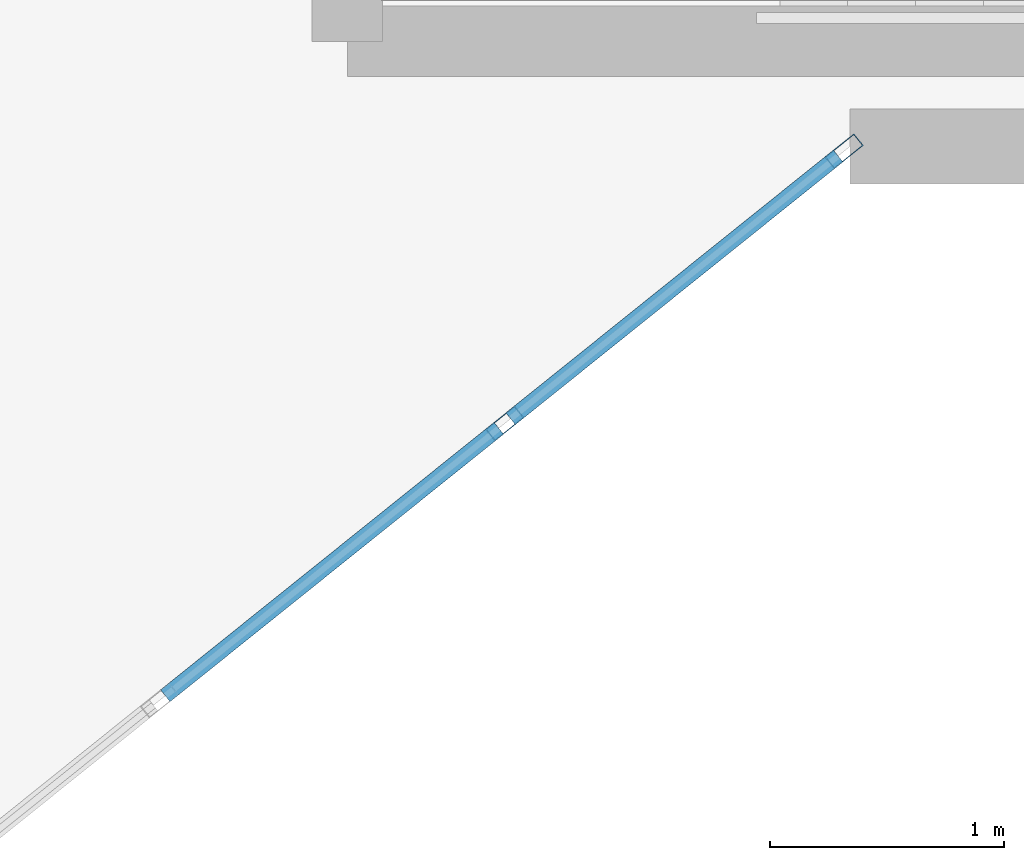
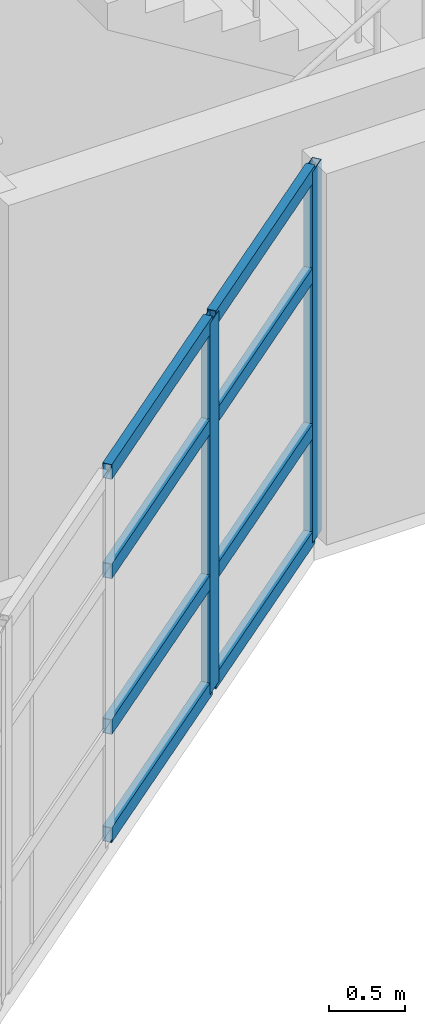
# One storey, part 13 of 49: 10 members, 1 element without a shape of its own.
"""IFC4 building model written with IfcOpenShell, lengths in metres."""

from ifc_helpers import new_model, si_unit, direction, frame, origin, origin_2d, place, context, subcontext, project, spatial, hollow_rectangle, extrude, material, layer, layer_set, material_profile, profile_set, type_object, element, aggregate, save


model = new_model("IFC4")

# Units and contexts
model_context = context("Model", 3, precision=1e-05, world=origin(), true_north=direction((0.0, 1.0)))
body_context = subcontext(model_context, "Body", "Model", "MODEL_VIEW")
ifc_project = project(units=[si_unit("LENGTHUNIT", "METRE"), si_unit("AREAUNIT", "SQUARE_METRE"), si_unit("VOLUMEUNIT", "CUBIC_METRE"), si_unit("PLANEANGLEUNIT", "RADIAN"), si_unit("MASSUNIT", "GRAM", prefix="KILO")], contexts=[model_context])

# Site, building, storey
site_placement = place(None, origin())
site = spatial("IfcSite", under=ifc_project, at=site_placement, CompositionType="ELEMENT")
building_placement = place(site_placement, origin())
building = spatial("IfcBuilding", under=site, at=building_placement, Name="Keldmere Railside Commons", CompositionType="ELEMENT")
storey_placement = place(building_placement, frame((0.0, 0.0, 29.760009765625)))
storey = spatial("IfcBuildingStorey", under=building, at=storey_placement, Name="L09", CompositionType="ELEMENT", Elevation=29.760009765625)

# Curtain wall, members
ifc_material = material(Name="Thermally Broken Aluminium", Category="aluminium")
ifc_layer = layer(ifc_material, 0.159912109375, Name="Court Chord Wintergarden CW 4800x2850")
ifc_layer_set = layer_set([ifc_layer], Name="Thermally Broken Aluminium")
curtain_wall_type = type_object("IfcCurtainWallType", Name="Court Chord Wintergarden CW 4800x2850", PredefinedType="NOTDEFINED", material=ifc_layer_set)
curtain_wall_placement = place(storey_placement, origin())
curtain_wall = element("IfcCurtainWall", 1, at=curtain_wall_placement, inside=storey, type_object=curtain_wall_type, Name="CW-12 CW-L09-141", PredefinedType="NOTDEFINED")
ifc_material_profile_1 = material_profile(ifc_material, hollow_rectangle(XDim=0.06494140625, YDim=0.159912109375, WallThickness=0.00390625, at=origin_2d()), Name="ALU-MULL-65x160")
ifc_profile_set_1 = profile_set([ifc_material_profile_1], Name="Thermally Broken Aluminium")
member_type_1 = type_object("IfcMemberType", Name="Unitised Curtain Wall Mullion 65x160", PredefinedType="MULLION", material=ifc_profile_set_1)
member_1_placement = place(storey_placement, frame((131.974609375, 99.979736328125, 0.0), z_axis=(0.0, 0.0, 1.0), x_axis=(0.625768080915, -0.780009172323, 0.0)))
member_1 = element("IfcMember", 2, at=member_1_placement, type_object=member_type_1, Name="CW-12 mullion 1", PredefinedType="MULLION", context=body_context, shape_type="SweptSolid", body=[
    extrude(hollow_rectangle(XDim=0.06494140625, YDim=0.159912109375, WallThickness=0.00390625, at=origin_2d()), origin(), (0.0, 0.0, 1.0), 2.97998046875),
])
member_2_placement = place(storey_placement, frame((130.5234375, 98.8154296875, 0.0), z_axis=(0.0, 0.0, 1.0), x_axis=(0.625768080915, -0.780009172323, 0.0)))
member_2 = element("IfcMember", 3, at=member_2_placement, type_object=member_type_1, Name="CW-12 mullion 2", PredefinedType="MULLION", context=body_context, shape_type="SweptSolid", body=[
    extrude(hollow_rectangle(XDim=0.06494140625, YDim=0.159912109375, WallThickness=0.00390625, at=origin_2d()), origin(), (0.0, 0.0, 1.0), 2.97998046875),
])
ifc_material_profile_2 = material_profile(ifc_material, hollow_rectangle(XDim=0.06494140625, YDim=0.1201171875, WallThickness=0.00390625, at=origin_2d()), Name="ALU-TRAN-65x120")
ifc_profile_set_2 = profile_set([ifc_material_profile_2], Name="Thermally Broken Aluminium")
member_type_2 = type_object("IfcMemberType", Name="Unitised Curtain Wall Transom 65x120", PredefinedType="USERDEFINED", material=ifc_profile_set_2)
member_3_placement = place(storey_placement, frame((131.94921875, 99.959228515625, 0.032470703125), z_axis=(-0.780045694992, -0.625722553313, 0.0), x_axis=(0.625722553313, -0.780045694992, 0.0)))
member_3 = element("IfcMember", 4, at=member_3_placement, type_object=member_type_2, Name="CW-12 transom 1.1", ObjectType="TRANSOM", PredefinedType="USERDEFINED", context=body_context, shape_type="SweptSolid", body=[
    extrude(hollow_rectangle(XDim=0.06494140625, YDim=0.1201171875, WallThickness=0.00390625, at=origin_2d()), origin(), (0.0, 0.0, 1.0), 1.795654296875),
])
member_4_placement = place(storey_placement, frame((131.94921875, 99.959228515625, 0.89990234375), z_axis=(-0.780045694992, -0.625722553313, 0.0), x_axis=(0.625722553313, -0.780045694992, 0.0)))
member_4 = element("IfcMember", 5, at=member_4_placement, type_object=member_type_2, Name="CW-12 transom 1.2", ObjectType="TRANSOM", PredefinedType="USERDEFINED", context=body_context, shape_type="SweptSolid", body=[
    extrude(hollow_rectangle(XDim=0.06494140625, YDim=0.1201171875, WallThickness=0.00390625, at=origin_2d()), origin(), (0.0, 0.0, 1.0), 1.795654296875),
])
member_5_placement = place(storey_placement, frame((131.94921875, 99.959228515625, 2.14990234375), z_axis=(-0.780045694992, -0.625722553313, 0.0), x_axis=(0.625722553313, -0.780045694992, 0.0)))
member_5 = element("IfcMember", 6, at=member_5_placement, type_object=member_type_2, Name="CW-12 transom 1.3", ObjectType="TRANSOM", PredefinedType="USERDEFINED", context=body_context, shape_type="SweptSolid", body=[
    extrude(hollow_rectangle(XDim=0.06494140625, YDim=0.1201171875, WallThickness=0.00390625, at=origin_2d()), origin(), (0.0, 0.0, 1.0), 1.795654296875),
])
member_6_placement = place(storey_placement, frame((131.94921875, 99.959228515625, 2.947509765625), z_axis=(-0.780045694992, -0.625722553313, 0.0), x_axis=(0.625722553313, -0.780045694992, 0.0)))
member_6 = element("IfcMember", 7, at=member_6_placement, type_object=member_type_2, Name="CW-12 transom 1.4", ObjectType="TRANSOM", PredefinedType="USERDEFINED", context=body_context, shape_type="SweptSolid", body=[
    extrude(hollow_rectangle(XDim=0.06494140625, YDim=0.1201171875, WallThickness=0.00390625, at=origin_2d()), origin(), (0.0, 0.0, 1.0), 1.795654296875),
])
member_7_placement = place(storey_placement, frame((130.498046875, 98.794921875, 0.032470703125), z_axis=(-0.78007338409, -0.625688033635, 0.0), x_axis=(0.625688033635, -0.78007338409, 0.0)))
member_7 = element("IfcMember", 8, at=member_7_placement, type_object=member_type_2, Name="CW-12 transom 2.1", ObjectType="TRANSOM", PredefinedType="USERDEFINED", context=body_context, shape_type="SweptSolid", body=[
    extrude(hollow_rectangle(XDim=0.06494140625, YDim=0.1201171875, WallThickness=0.00390625, at=origin_2d()), origin(), (0.0, 0.0, 1.0), 1.828125),
])
member_8_placement = place(storey_placement, frame((130.498046875, 98.794921875, 0.89990234375), z_axis=(-0.78007338409, -0.625688033635, 0.0), x_axis=(0.625688033635, -0.78007338409, 0.0)))
member_8 = element("IfcMember", 9, at=member_8_placement, type_object=member_type_2, Name="CW-12 transom 2.2", ObjectType="TRANSOM", PredefinedType="USERDEFINED", context=body_context, shape_type="SweptSolid", body=[
    extrude(hollow_rectangle(XDim=0.06494140625, YDim=0.1201171875, WallThickness=0.00390625, at=origin_2d()), origin(), (0.0, 0.0, 1.0), 1.828125),
])
member_9_placement = place(storey_placement, frame((130.498046875, 98.794921875, 2.14990234375), z_axis=(-0.78007338409, -0.625688033635, 0.0), x_axis=(0.625688033635, -0.78007338409, 0.0)))
member_9 = element("IfcMember", 10, at=member_9_placement, type_object=member_type_2, Name="CW-12 transom 2.3", ObjectType="TRANSOM", PredefinedType="USERDEFINED", context=body_context, shape_type="SweptSolid", body=[
    extrude(hollow_rectangle(XDim=0.06494140625, YDim=0.1201171875, WallThickness=0.00390625, at=origin_2d()), origin(), (0.0, 0.0, 1.0), 1.828125),
])
member_10_placement = place(storey_placement, frame((130.498046875, 98.794921875, 2.947509765625), z_axis=(-0.78007338409, -0.625688033635, 0.0), x_axis=(0.625688033635, -0.78007338409, 0.0)))
member_10 = element("IfcMember", 11, at=member_10_placement, type_object=member_type_2, Name="CW-12 transom 2.4", ObjectType="TRANSOM", PredefinedType="USERDEFINED", context=body_context, shape_type="SweptSolid", body=[
    extrude(hollow_rectangle(XDim=0.06494140625, YDim=0.1201171875, WallThickness=0.00390625, at=origin_2d()), origin(), (0.0, 0.0, 1.0), 1.828125),
])
aggregate(curtain_wall, [member_1, member_2, member_3, member_4, member_5, member_6, member_7, member_8, member_9, member_10])

save(model, "model.ifc")
